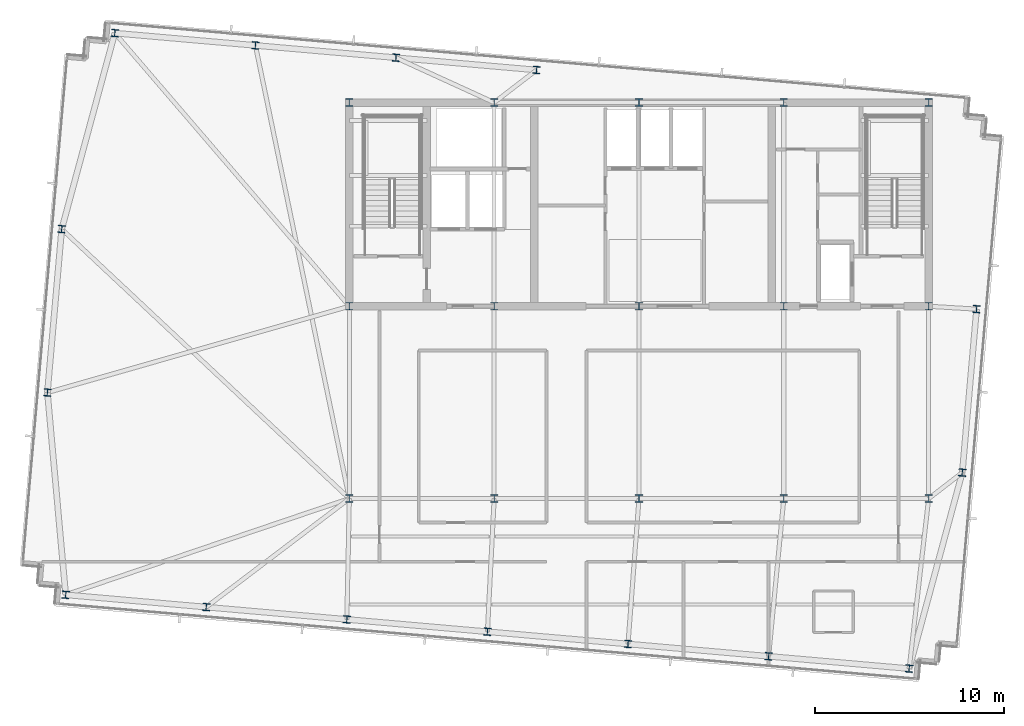
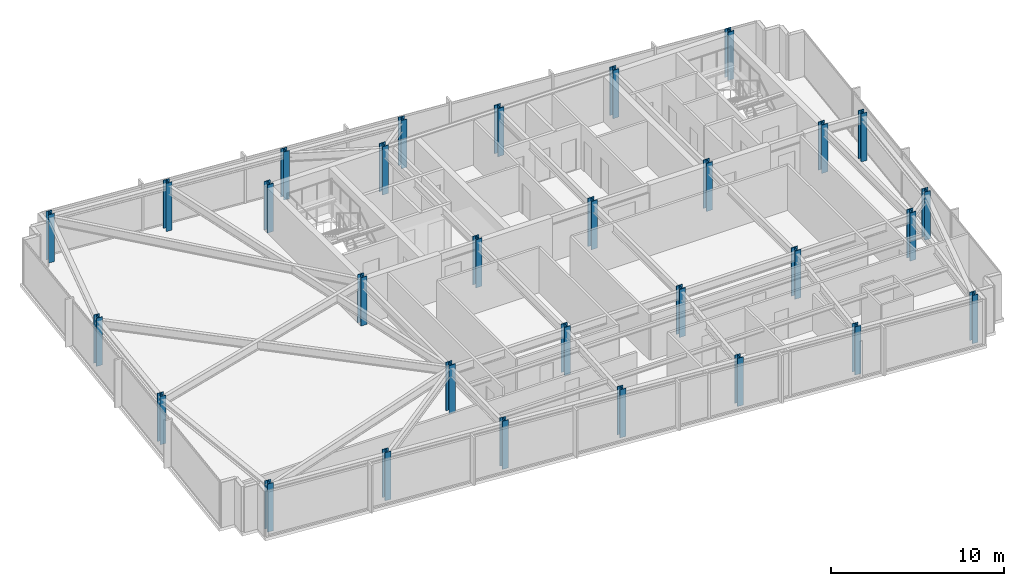
# One storey, part 1 of 32: 30 columns.
"""IFC4 building model written with IfcOpenShell, lengths in metres."""

from ifc_helpers import new_model, si_unit, direction, frame, origin, origin_2d, place, context, subcontext, project, spatial, i_section, extrude, material, material_profile, profile_set, type_object, element, save


model = new_model("IFC4")

# Units and contexts
model_context = context("Model", 3, precision=1e-05, world=origin(), true_north=direction((0.0, 1.0)))
body_context = subcontext(model_context, "Body", "Model", "MODEL_VIEW")
ifc_project = project(units=[si_unit("LENGTHUNIT", "METRE"), si_unit("AREAUNIT", "SQUARE_METRE"), si_unit("VOLUMEUNIT", "CUBIC_METRE"), si_unit("PLANEANGLEUNIT", "RADIAN"), si_unit("MASSUNIT", "GRAM", prefix="KILO")], contexts=[model_context])

# Site, building, storey
site_placement = place(None, origin())
site = spatial("IfcSite", under=ifc_project, at=site_placement, CompositionType="ELEMENT")
building_placement = place(site_placement, origin())
building = spatial("IfcBuilding", under=site, at=building_placement, Name="Yelkora Congress Tower", CompositionType="ELEMENT")
storey_placement = place(building_placement, frame((0.0, 0.0, 276.10009765625)))
storey = spatial("IfcBuildingStorey", under=building, at=storey_placement, Name="L77", CompositionType="ELEMENT", Elevation=276.10009765625)

# Columns
ifc_material_1 = material(Name="Steel S355J2", Category="steel")
ifc_material_profile_1 = material_profile(ifc_material_1, i_section(OverallWidth=0.3779296875, OverallDepth=0.386962890625, WebThickness=0.0205078125, FlangeThickness=0.033203125, FilletRadius=0.014892578125, at=origin_2d()), Name="HD 360x262")
ifc_profile_set_1 = profile_set([ifc_material_profile_1], Name="Steel S355J2")
column_type_1 = type_object("IfcColumnType", Name="COL-HD-262-EXT", PredefinedType="COLUMN", material=ifc_profile_set_1)
for number, where, z_axis, x_axis, name in (
    (1, (7.998046875, 20.097900390625, 0.0), (0.0, 0.0, 1.0), (0.996194698092, -0.087155742748, 0.0), "L77 Perimeter Column S01"),
    (2, (15.452880859375, 19.445556640625, 0.0), (0.0, 0.0, 1.0), (0.996194698092, -0.087155742748, 0.0), "L77 Perimeter Column S02"),
    (3, (22.90771484375, 18.793212890625, 0.0), (0.0, 0.0, 1.0), (0.996194698092, -0.087155742748, 0.0), "L77 Perimeter Column S03"),
    (4, (30.362548828125, 18.14111328125, 0.0), (0.0, 0.0, 1.0), (0.996194698092, -0.087155742748, 0.0), "L77 Perimeter Column S04"),
    (5, (37.8173828125, 17.489013671875, 0.0), (0.0, 0.0, 1.0), (0.996194698092, -0.087155742748, 0.0), "L77 Perimeter Column S05"),
    (6, (45.2724609375, 16.836669921875, 0.0), (0.0, 0.0, 1.0), (0.996194698092, -0.087155742748, 0.0), "L77 Perimeter Column S06"),
    (7, (52.727294921875, 16.1845703125, 0.0), (0.0, 0.0, 1.0), (0.996194698092, -0.087155742748, 0.0), "L77 Perimeter Column S07"),
    (8, (10.60400390625, 49.884033203125, 0.0), (0.0, 0.0, 1.0), (0.996194698092, -0.087155742748, 0.0), "L77 Perimeter Column N01"),
    (9, (18.058837890625, 49.231689453125, 0.0), (0.0, 0.0, 1.0), (0.996194698092, -0.087155742748, 0.0), "L77 Perimeter Column N02"),
    (10, (25.513916015625, 48.57958984375, 0.0), (0.0, 0.0, 1.0), (0.996194698092, -0.087155742748, 0.0), "L77 Perimeter Column N03"),
    (11, (32.968505859375, 47.927490234375, 0.0), (0.0, 0.0, 1.0), (0.996194698092, -0.087155742748, 0.0), "L77 Perimeter Column N04"),
    (12, (7.029052734375, 30.822998046875, 0.0), (0.0, 0.0, 1.0), (0.996194698092, -0.087155742748, 0.0), "L77 Perimeter Column W01"),
    (13, (55.543701171875, 26.57861328125, 0.0), (0.0, 0.0, 1.0), (0.996194698092, -0.087155742748, 0.0), "L77 Perimeter Column E01"),
    (14, (7.787353515625, 39.489990234375, 0.0), (0.0, 0.0, 1.0), (0.996194698092, -0.087155742748, 0.0), "L77 Perimeter Column W02"),
    (15, (56.302001953125, 35.24560546875, 0.0), (0.0, 0.0, 1.0), (0.996194698092, -0.087155742748, 0.0), "L77 Perimeter Column E02"),
):
    element("IfcColumn", number, at=place(storey_placement, frame(where, z_axis=z_axis, x_axis=x_axis)), inside=storey, type_object=column_type_1, Name=name, PredefinedType="COLUMN", context=body_context, shape_type="SweptSolid", body=[
        extrude(i_section(OverallWidth=0.3779296875, OverallDepth=0.386962890625, WebThickness=0.0205078125, FlangeThickness=0.033203125, FilletRadius=0.014892578125, at=origin_2d()), origin(), (0.0, 0.0, 1.0), 3.39990234375),
    ])
ifc_material_2 = material(Name="Steel S460M", Category="steel")
ifc_material_profile_2 = material_profile(ifc_material_2, i_section(OverallWidth=0.406005859375, OverallDepth=0.416015625, WebThickness=0.02978515625, FlangeThickness=0.048095703125, FilletRadius=0.014892578125, at=origin_2d()), Name="HD 400x382")
ifc_profile_set_2 = profile_set([ifc_material_profile_2], Name="Steel S460M")
column_type_2 = type_object("IfcColumnType", Name="COL-HD-382", PredefinedType="COLUMN", material=ifc_profile_set_2)
for number, where, z_axis, x_axis, name in (
    (16, (23.0400390625, 35.39990234375, 0.0), (0.0, 0.0, 1.0), (1.0, 0.0, 0.0), "L77 Mega Column MC-S1"),
    (17, (23.0400390625, 46.199951171875, 0.0), (0.0, 0.0, 1.0), (1.0, 0.0, 0.0), "L77 Mega Column MC-N1"),
    (18, (23.0400390625, 25.199951171875, 0.0), (0.0, 0.0, 1.0), (1.0, 0.0, 0.0), "L77 Mega Column MC-D1"),
    (19, (30.719970703125, 35.39990234375, 0.0), (0.0, 0.0, 1.0), (1.0, 0.0, 0.0), "L77 Mega Column MC-S2"),
    (20, (30.719970703125, 46.199951171875, 0.0), (0.0, 0.0, 1.0), (1.0, 0.0, 0.0), "L77 Mega Column MC-N2"),
    (21, (30.719970703125, 25.199951171875, 0.0), (0.0, 0.0, 1.0), (1.0, 0.0, 0.0), "L77 Mega Column MC-D2"),
    (22, (38.39990234375, 35.39990234375, 0.0), (0.0, 0.0, 1.0), (1.0, 0.0, 0.0), "L77 Mega Column MC-S3"),
    (23, (38.39990234375, 46.199951171875, 0.0), (0.0, 0.0, 1.0), (1.0, 0.0, 0.0), "L77 Mega Column MC-N3"),
    (24, (38.39990234375, 25.199951171875, 0.0), (0.0, 0.0, 1.0), (1.0, 0.0, 0.0), "L77 Mega Column MC-D3"),
    (25, (46.080078125, 35.39990234375, 0.0), (0.0, 0.0, 1.0), (1.0, 0.0, 0.0), "L77 Mega Column MC-S4"),
    (26, (46.080078125, 46.199951171875, 0.0), (0.0, 0.0, 1.0), (1.0, 0.0, 0.0), "L77 Mega Column MC-N4"),
    (27, (46.080078125, 25.199951171875, 0.0), (0.0, 0.0, 1.0), (1.0, 0.0, 0.0), "L77 Mega Column MC-D4"),
    (28, (53.760009765625, 35.39990234375, 0.0), (0.0, 0.0, 1.0), (1.0, 0.0, 0.0), "L77 Mega Column MC-S5"),
    (29, (53.760009765625, 46.199951171875, 0.0), (0.0, 0.0, 1.0), (1.0, 0.0, 0.0), "L77 Mega Column MC-N5"),
    (30, (53.760009765625, 25.199951171875, 0.0), (0.0, 0.0, 1.0), (1.0, 0.0, 0.0), "L77 Mega Column MC-D5"),
):
    element("IfcColumn", number, at=place(storey_placement, frame(where, z_axis=z_axis, x_axis=x_axis)), inside=storey, type_object=column_type_2, Name=name, PredefinedType="COLUMN", context=body_context, shape_type="SweptSolid", body=[
        extrude(i_section(OverallWidth=0.406005859375, OverallDepth=0.416015625, WebThickness=0.02978515625, FlangeThickness=0.048095703125, FilletRadius=0.014892578125, at=origin_2d()), origin(), (0.0, 0.0, 1.0), 3.39990234375),
    ])

save(model, "model.ifc")
